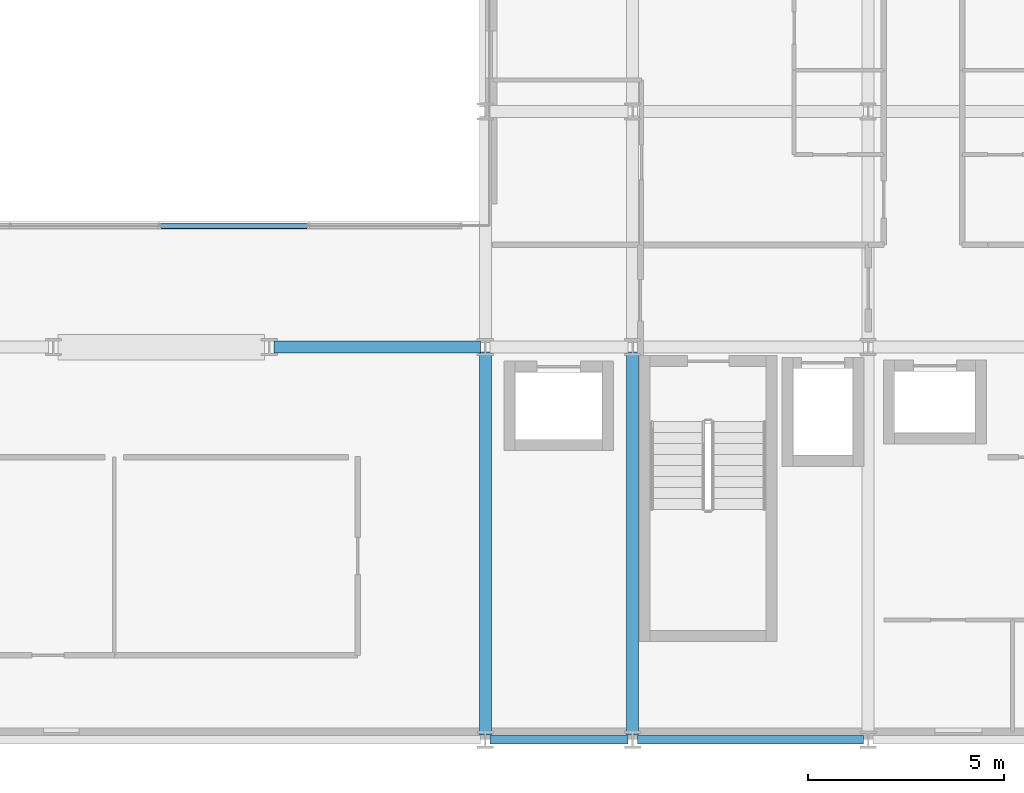
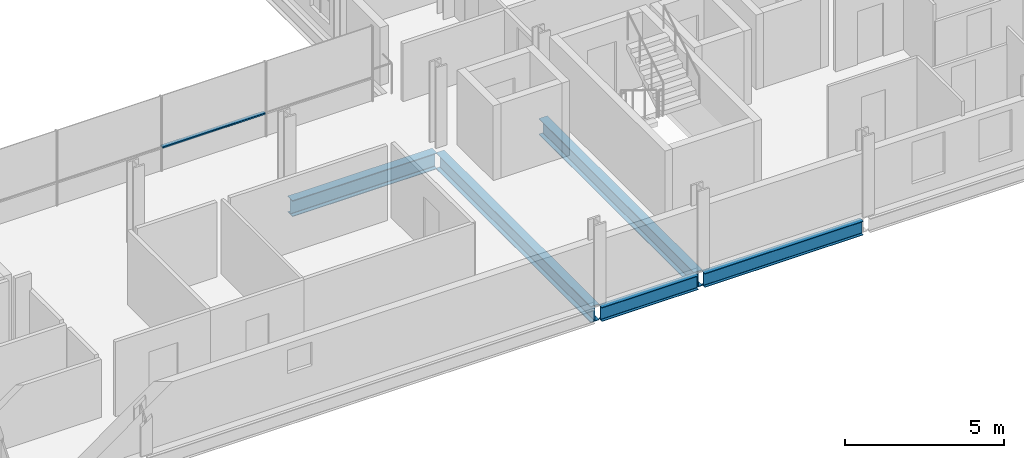
# One storey, part 12 of 39: 5 beams, 1 member, 1 element without a shape of its own.
"""IFC4 building model written with IfcOpenShell, lengths in metres."""

from ifc_helpers import new_model, si_unit, direction, frame, origin, origin_2d, place, context, subcontext, project, spatial, hollow_rectangle, i_section, extrude, material, layer, layer_set, material_profile, profile_set, type_object, element, aggregate, save


model = new_model("IFC4")

# Units and contexts
model_context = context("Model", 3, precision=1e-05, world=origin(), true_north=direction((0.0, 1.0)))
body_context = subcontext(model_context, "Body", "Model", "MODEL_VIEW")
ifc_project = project(units=[si_unit("LENGTHUNIT", "METRE"), si_unit("AREAUNIT", "SQUARE_METRE"), si_unit("VOLUMEUNIT", "CUBIC_METRE"), si_unit("PLANEANGLEUNIT", "RADIAN"), si_unit("MASSUNIT", "GRAM", prefix="KILO")], contexts=[model_context])

# Site, building, storey
site_placement = place(None, origin())
site = spatial("IfcSite", under=ifc_project, at=site_placement, CompositionType="ELEMENT")
building_placement = place(site_placement, origin())
building = spatial("IfcBuilding", under=site, at=building_placement, Name="Brevholm Reach", CompositionType="ELEMENT")
storey_placement = place(building_placement, frame((0.0, 0.0, 77.60009765625)))
storey = spatial("IfcBuildingStorey", under=building, at=storey_placement, Name="L22", CompositionType="ELEMENT", Elevation=77.60009765625)

# Beams
ifc_material_1 = material(Name="Structural Steel S355J2", Category="steel")
ifc_material_profile_1 = material_profile(ifc_material_1, i_section(OverallWidth=0.210693359375, OverallDepth=0.53955078125, WebThickness=0.01171875, FlangeThickness=0.018798828125, FilletRadius=0.0126953125, at=origin_2d()), Name="UKB 533x210x109")
ifc_profile_set_1 = profile_set([ifc_material_profile_1], Name="Structural Steel S355J2")
beam_type_1 = type_object("IfcBeamType", Name="BM-SP539", PredefinedType="SPANDREL", material=ifc_profile_set_1)
beam_1_placement = place(storey_placement, frame((38.3701171875, 0.0, -0.499755859375), z_axis=(1.0, 0.0, 0.0), x_axis=(0.0, 1.0, 0.0)))
element("IfcBeam", 1, at=beam_1_placement, inside=storey, type_object=beam_type_1, Name="L22 SP-01B Framing Beam", PredefinedType="SPANDREL", context=body_context, shape_type="SweptSolid", body=[
    extrude(i_section(OverallWidth=0.210693359375, OverallDepth=0.53955078125, WebThickness=0.01171875, FlangeThickness=0.018798828125, FilletRadius=0.0126953125, at=origin_2d()), origin(), (0.0, 0.0, 1.0), 3.509765625),
])
beam_2_placement = place(storey_placement, frame((42.1201171875, 0.0, -0.499755859375), z_axis=(1.0, 0.0, 0.0), x_axis=(0.0, 1.0, 0.0)))
element("IfcBeam", 2, at=beam_2_placement, inside=storey, type_object=beam_type_1, Name="L22 SP-01B Framing Beam", PredefinedType="SPANDREL", context=body_context, shape_type="SweptSolid", body=[
    extrude(i_section(OverallWidth=0.210693359375, OverallDepth=0.53955078125, WebThickness=0.01171875, FlangeThickness=0.018798828125, FilletRadius=0.0126953125, at=origin_2d()), origin(), (0.0, 0.0, 1.0), 5.759765625),
])
ifc_material_2 = material(Name="Structural Steel S355J2", Category="steel")
ifc_material_profile_2 = material_profile(ifc_material_2, i_section(OverallWidth=0.30712890625, OverallDepth=0.6201171875, WebThickness=0.01416015625, FlangeThickness=0.023681640625, FilletRadius=0.0166015625, at=origin_2d()), Name="UKB 610x305x179")
ifc_profile_set_2 = profile_set([ifc_material_profile_2], Name="Structural Steel S355J2")
beam_type_2 = type_object("IfcBeamType", Name="BM-UKB610H", PredefinedType="USERDEFINED", material=ifc_profile_set_2)
beam_3_placement = place(storey_placement, frame((32.8701171875, 10.0, -0.540283203125), z_axis=(1.0, 0.0, 0.0), x_axis=(0.0, 1.0, 0.0)))
element("IfcBeam", 3, at=beam_3_placement, inside=storey, type_object=beam_type_2, Name="L22 G-06 Framing Beam", ObjectType="GIRDER", PredefinedType="USERDEFINED", context=body_context, shape_type="SweptSolid", body=[
    extrude(i_section(OverallWidth=0.30712890625, OverallDepth=0.6201171875, WebThickness=0.01416015625, FlangeThickness=0.023681640625, FilletRadius=0.0166015625, at=origin_2d()), origin(), (0.0, 0.0, 1.0), 5.259765625),
])
for number, where, z_axis, x_axis, name in (
    (4, (38.25, 0.1201171875, -0.540283203125), (0.0, 1.0, 0.0), (-1.0, 0.0, 0.0), "L22 G-06 Framing Beam"),
    (5, (42.0, 0.1201171875, -0.540283203125), (0.0, 1.0, 0.0), (-1.0, 0.0, 0.0), "L22 G-06 Framing Beam"),
):
    element("IfcBeam", number, at=place(storey_placement, frame(where, z_axis=z_axis, x_axis=x_axis)), inside=storey, type_object=beam_type_2, Name=name, ObjectType="GIRDER", PredefinedType="USERDEFINED", context=body_context, shape_type="SweptSolid", body=[
        extrude(i_section(OverallWidth=0.30712890625, OverallDepth=0.6201171875, WebThickness=0.01416015625, FlangeThickness=0.023681640625, FilletRadius=0.0166015625, at=origin_2d()), origin(), (0.0, 0.0, 1.0), 9.759765625),
    ])

# Curtain wall, member
ifc_material_3 = material(Name="Dark Anodised Aluminium 6063-T6 and Solar-Control Glass", Category="aluminium")
ifc_layer = layer(ifc_material_3, 0.139892578125)
ifc_layer_set = layer_set([ifc_layer], Name="Dark Anodised Aluminium 6063-T6 and Solar-Control Glass")
curtain_wall_type = type_object("IfcCurtainWallType", Name="CW-02", PredefinedType="NOTDEFINED", material=ifc_layer_set)
curtain_wall_placement = place(storey_placement, origin())
curtain_wall = element("IfcCurtainWall", 6, at=curtain_wall_placement, inside=storey, type_object=curtain_wall_type, Name="L22 Curtain Wall CW-02", PredefinedType="NOTDEFINED")
ifc_material_4 = material(Name="Dark Anodised Aluminium 6063-T6", Category="aluminium")
ifc_material_profile_3 = material_profile(ifc_material_4, hollow_rectangle(XDim=0.06005859375, YDim=0.139892578125, WallThickness=0.0048828125, InnerFilletRadius=0.0048828125, OuterFilletRadius=0.010009765625, at=origin_2d()), Name="RHS 140x60x5")
ifc_profile_set_3 = profile_set([ifc_material_profile_3], Name="Dark Anodised Aluminium 6063-T6")
member_type = type_object("IfcMemberType", Name="CWT-140", PredefinedType="NOTDEFINED", material=ifc_profile_set_3)
member_placement = place(storey_placement, frame((29.97998046875, 13.080078125, 0.89990234375), z_axis=(1.0, 0.0, 0.0), x_axis=(0.0, 0.0, 1.0)))
member = element("IfcMember", 7, at=member_placement, type_object=member_type, Name="CT-140 Transom 3.1", ObjectType="TRANSOM", PredefinedType="USERDEFINED", context=body_context, shape_type="SweptSolid", body=[
    extrude(hollow_rectangle(XDim=0.06005859375, YDim=0.139892578125, WallThickness=0.0048828125, InnerFilletRadius=0.0048828125, OuterFilletRadius=0.010009765625, at=origin_2d()), origin(), (0.0, 0.0, 1.0), 3.739990234375),
])
aggregate(curtain_wall, [member])

save(model, "model.ifc")
